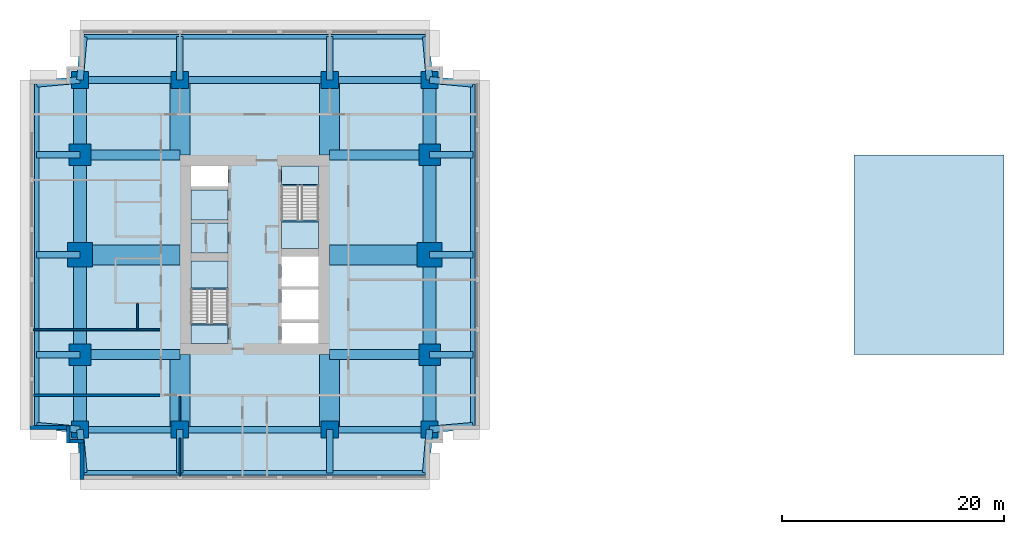
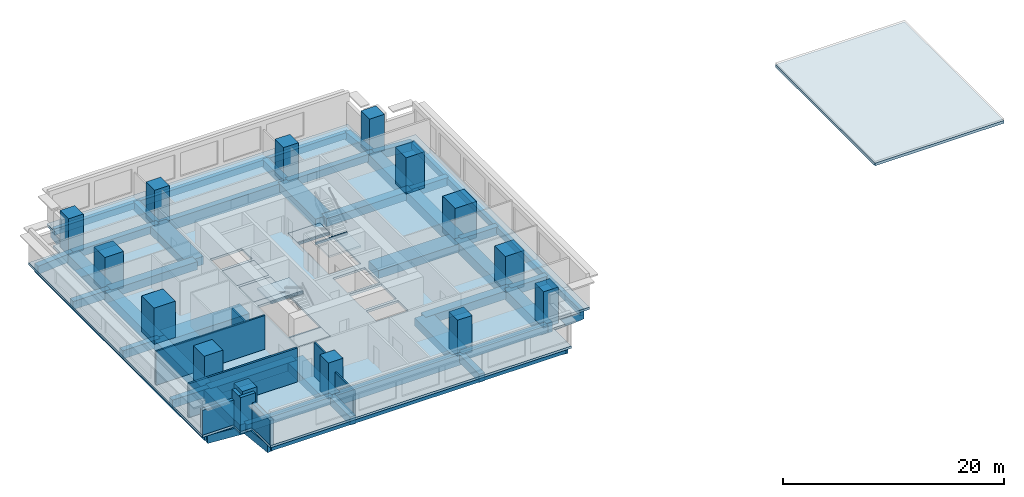
# One storey, part 1 of 5: 50 beams, 14 columns, 9 walls, 8 slabs, 2 elements without a shape of their own.
"""IFC4 building model written with IfcOpenShell, lengths in metres."""

from ifc_helpers import new_model, si_unit, direction, frame, frame_2d, origin, origin_2d, place, context, subcontext, project, spatial, polyline, rectangle, i_section, outline, extrude, material, layer, layer_set, material_profile, profile_set, type_object, element, aggregate, save


model = new_model("IFC4")

# Units and contexts
model_context = context("Model", 3, precision=1e-05, world=origin(), true_north=direction((0.0, 1.0)))
body_context = subcontext(model_context, "Body", "Model", "MODEL_VIEW")
ifc_project = project(units=[si_unit("LENGTHUNIT", "METRE"), si_unit("AREAUNIT", "SQUARE_METRE"), si_unit("VOLUMEUNIT", "CUBIC_METRE"), si_unit("PLANEANGLEUNIT", "RADIAN"), si_unit("MASSUNIT", "GRAM", prefix="KILO")], contexts=[model_context])

# Site, building, storey
site_placement = place(None, origin())
site = spatial("IfcSite", under=ifc_project, at=site_placement, CompositionType="ELEMENT")
building_placement = place(site_placement, origin())
building = spatial("IfcBuilding", under=site, at=building_placement, Name="Namib Vertical Campus", CompositionType="ELEMENT")
storey_placement = place(building_placement, frame((0.0, 0.0, 241.0)))
storey = spatial("IfcBuildingStorey", under=building, at=storey_placement, Name="L57", CompositionType="ELEMENT", Elevation=241.0)

# Columns
ifc_material_1 = material(Name="Concrete C60/75", Category="concrete")
ifc_material_profile_1 = material_profile(ifc_material_1, rectangle(XDim=1.550048828125, YDim=1.550048828125, at=origin_2d()))
ifc_profile_set_1 = profile_set([ifc_material_profile_1], Name="Concrete C60/75")
column_type_1 = type_object("IfcColumnType", Name="Column RC 1550x1550", PredefinedType="COLUMN", material=ifc_profile_set_1)
for number, where, z_axis, x_axis, name in (
    (1, (4.5, 4.5, 0.0), (0.0, 0.0, 1.0), (1.0, 0.0, 0.0), "Column C155 L57"),
    (2, (13.5, 4.5, 0.0), (0.0, 0.0, 1.0), (1.0, 0.0, 0.0), "Column C155 L57"),
    (3, (27.0, 4.5, 0.0), (0.0, 0.0, 1.0), (1.0, 0.0, 0.0), "Column C155 L57"),
    (4, (36.0, 4.5, 0.0), (0.0, 0.0, 1.0), (1.0, 0.0, 0.0), "Column C155 L57"),
    (5, (4.5, 36.0, 0.0), (0.0, 0.0, 1.0), (1.0, 0.0, 0.0), "Column C155 L57"),
    (6, (13.5, 36.0, 0.0), (0.0, 0.0, 1.0), (1.0, 0.0, 0.0), "Column C155 L57"),
    (7, (27.0, 36.0, 0.0), (0.0, 0.0, 1.0), (1.0, 0.0, 0.0), "Column C155 L57"),
    (8, (36.0, 36.0, 0.0), (0.0, 0.0, 1.0), (1.0, 0.0, 0.0), "Column C155 L57"),
):
    element("IfcColumn", number, at=place(storey_placement, frame(where, z_axis=z_axis, x_axis=x_axis)), inside=storey, type_object=column_type_1, Name=name, PredefinedType="COLUMN", context=body_context, shape_type="SweptSolid", body=[
        extrude(rectangle(XDim=1.550048828125, YDim=1.550048828125, at=origin_2d()), origin(), (0.0, 0.0, 1.0), 4.0),
    ])
ifc_material_2 = material(Name="Concrete C60/75", Category="concrete")
ifc_material_profile_2 = material_profile(ifc_material_2, rectangle(XDim=1.949951171875, YDim=1.949951171875, at=origin_2d()))
ifc_profile_set_2 = profile_set([ifc_material_profile_2], Name="Concrete C60/75")
column_type_2 = type_object("IfcColumnType", Name="Column RC 1950x1950", PredefinedType="COLUMN", material=ifc_profile_set_2)
for number, where, z_axis, x_axis, name in (
    (9, (4.5, 11.25, 0.0), (0.0, 0.0, 1.0), (1.0, 0.0, 0.0), "Column C195 L57"),
    (10, (36.0, 11.25, 0.0), (0.0, 0.0, 1.0), (1.0, 0.0, 0.0), "Column C195 L57"),
    (11, (4.5, 29.25, 0.0), (0.0, 0.0, 1.0), (1.0, 0.0, 0.0), "Column C195 L57"),
    (12, (36.0, 29.25, 0.0), (0.0, 0.0, 1.0), (1.0, 0.0, 0.0), "Column C195 L57"),
):
    element("IfcColumn", number, at=place(storey_placement, frame(where, z_axis=z_axis, x_axis=x_axis)), inside=storey, type_object=column_type_2, Name=name, PredefinedType="COLUMN", context=body_context, shape_type="SweptSolid", body=[
        extrude(rectangle(XDim=1.949951171875, YDim=1.949951171875, at=origin_2d()), origin(), (0.0, 0.0, 1.0), 4.0),
    ])
ifc_material_3 = material(Name="Concrete C60/75", Category="concrete")
ifc_material_profile_3 = material_profile(ifc_material_3, rectangle(XDim=2.25, YDim=2.25, at=origin_2d()))
ifc_profile_set_3 = profile_set([ifc_material_profile_3], Name="Concrete C60/75")
column_type_3 = type_object("IfcColumnType", Name="Column RC 2250x2250", PredefinedType="COLUMN", material=ifc_profile_set_3)
for number, where, z_axis, x_axis, name in (
    (13, (4.5, 20.25, 0.0), (0.0, 0.0, 1.0), (1.0, 0.0, 0.0), "Column C225 L57"),
    (14, (36.0, 20.25, 0.0), (0.0, 0.0, 1.0), (1.0, 0.0, 0.0), "Column C225 L57"),
):
    element("IfcColumn", number, at=place(storey_placement, frame(where, z_axis=z_axis, x_axis=x_axis)), inside=storey, type_object=column_type_3, Name=name, PredefinedType="COLUMN", context=body_context, shape_type="SweptSolid", body=[
        extrude(rectangle(XDim=2.25, YDim=2.25, at=origin_2d()), origin(), (0.0, 0.0, 1.0), 4.0),
    ])

# Beams
ifc_material_4 = material(Name="Concrete C40/50", Category="concrete")
ifc_material_profile_4 = material_profile(ifc_material_4, rectangle(XDim=0.60009765625, YDim=0.89990234375, at=origin_2d()))
ifc_profile_set_4 = profile_set([ifc_material_profile_4], Name="Concrete C40/50")
beam_type_1 = type_object("IfcBeamType", Name="Cantilever girder RC 600x900", PredefinedType="BEAM", material=ifc_profile_set_4)
beam_1_placement = place(storey_placement, frame((4.5, 4.5, -0.699951171875), z_axis=(0.089411326146, -0.995994786511, 0.0), x_axis=(0.995994786511, 0.089411326146, 0.0)))
element("IfcBeam", 15, at=beam_1_placement, inside=storey, type_object=beam_type_1, Name="Beam B3 L57", PredefinedType="BEAM", context=body_context, shape_type="SweptSolid", body=[
    extrude(rectangle(XDim=0.60009765625, YDim=0.89990234375, at=origin_2d()), origin(), (0.0, 0.0, 1.0), 3.91552734375),
])
for number, where, z_axis, x_axis, name in (
    (16, (13.5, 4.5, -0.699951171875), (0.0, -1.0, 0.0), (1.0, 0.0, 0.0), "Beam B3 L57"),
    (17, (27.0, 4.5, -0.699951171875), (0.0, -1.0, 0.0), (1.0, 0.0, 0.0), "Beam B3 L57"),
):
    element("IfcBeam", number, at=place(storey_placement, frame(where, z_axis=z_axis, x_axis=x_axis)), inside=storey, type_object=beam_type_1, Name=name, PredefinedType="BEAM", context=body_context, shape_type="SweptSolid", body=[
        extrude(rectangle(XDim=0.60009765625, YDim=0.89990234375, at=origin_2d()), origin(), (0.0, 0.0, 1.0), 3.89990234375),
    ])
for number, where, z_axis, x_axis, name in (
    (18, (36.0, 4.5, -0.699951171875), (-0.089411326146, -0.995994786511, 0.0), (0.995994786511, -0.089411326146, 0.0), "Beam B3 L57"),
    (19, (4.5, 36.0, -0.699951171875), (0.089411326146, 0.995994786511, 0.0), (-0.995994786511, 0.089411326146, 0.0), "Beam B3 L57"),
):
    element("IfcBeam", number, at=place(storey_placement, frame(where, z_axis=z_axis, x_axis=x_axis)), inside=storey, type_object=beam_type_1, Name=name, PredefinedType="BEAM", context=body_context, shape_type="SweptSolid", body=[
        extrude(rectangle(XDim=0.60009765625, YDim=0.89990234375, at=origin_2d()), origin(), (0.0, 0.0, 1.0), 3.91552734375),
    ])
for number, where, z_axis, x_axis, name in (
    (20, (13.5, 36.0, -0.699951171875), (0.0, 1.0, 0.0), (-1.0, 0.0, 0.0), "Beam B3 L57"),
    (21, (27.0, 36.0, -0.699951171875), (0.0, 1.0, 0.0), (-1.0, 0.0, 0.0), "Beam B3 L57"),
):
    element("IfcBeam", number, at=place(storey_placement, frame(where, z_axis=z_axis, x_axis=x_axis)), inside=storey, type_object=beam_type_1, Name=name, PredefinedType="BEAM", context=body_context, shape_type="SweptSolid", body=[
        extrude(rectangle(XDim=0.60009765625, YDim=0.89990234375, at=origin_2d()), origin(), (0.0, 0.0, 1.0), 3.89990234375),
    ])
for number, where, z_axis, x_axis, name in (
    (22, (36.0, 36.0, -0.699951171875), (-0.089411326146, 0.995994786511, 0.0), (-0.995994786511, -0.089411326146, 0.0), "Beam B3 L57"),
    (23, (4.5, 4.5, -0.699951171875), (-0.995994786511, 0.089411326146, 0.0), (-0.089411326146, -0.995994786511, 0.0), "Beam B3 L57"),
):
    element("IfcBeam", number, at=place(storey_placement, frame(where, z_axis=z_axis, x_axis=x_axis)), inside=storey, type_object=beam_type_1, Name=name, PredefinedType="BEAM", context=body_context, shape_type="SweptSolid", body=[
        extrude(rectangle(XDim=0.60009765625, YDim=0.89990234375, at=origin_2d()), origin(), (0.0, 0.0, 1.0), 3.91552734375),
    ])
for number, where, z_axis, x_axis, name in (
    (24, (4.5, 11.25, -0.699951171875), (-1.0, 0.0, 0.0), (0.0, -1.0, 0.0), "Beam B3 L57"),
    (25, (4.5, 20.25, -0.699951171875), (-1.0, 0.0, 0.0), (0.0, -1.0, 0.0), "Beam B3 L57"),
    (26, (4.5, 29.25, -0.699951171875), (-1.0, 0.0, 0.0), (0.0, -1.0, 0.0), "Beam B3 L57"),
):
    element("IfcBeam", number, at=place(storey_placement, frame(where, z_axis=z_axis, x_axis=x_axis)), inside=storey, type_object=beam_type_1, Name=name, PredefinedType="BEAM", context=body_context, shape_type="SweptSolid", body=[
        extrude(rectangle(XDim=0.60009765625, YDim=0.89990234375, at=origin_2d()), origin(), (0.0, 0.0, 1.0), 3.89990234375),
    ])
for number, where, z_axis, x_axis, name in (
    (27, (4.5, 36.0, -0.699951171875), (-0.995994786511, -0.089411326146, 0.0), (0.089411326146, -0.995994786511, 0.0), "Beam B3 L57"),
    (28, (36.0, 4.5, -0.699951171875), (0.995994786511, 0.089411326146, 0.0), (-0.089411326146, 0.995994786511, 0.0), "Beam B3 L57"),
):
    element("IfcBeam", number, at=place(storey_placement, frame(where, z_axis=z_axis, x_axis=x_axis)), inside=storey, type_object=beam_type_1, Name=name, PredefinedType="BEAM", context=body_context, shape_type="SweptSolid", body=[
        extrude(rectangle(XDim=0.60009765625, YDim=0.89990234375, at=origin_2d()), origin(), (0.0, 0.0, 1.0), 3.91552734375),
    ])
for number, where, z_axis, x_axis, name in (
    (29, (36.0, 11.25, -0.699951171875), (1.0, 0.0, 0.0), (0.0, 1.0, 0.0), "Beam B3 L57"),
    (30, (36.0, 20.25, -0.699951171875), (1.0, 0.0, 0.0), (0.0, 1.0, 0.0), "Beam B3 L57"),
    (31, (36.0, 29.25, -0.699951171875), (1.0, 0.0, 0.0), (0.0, 1.0, 0.0), "Beam B3 L57"),
):
    element("IfcBeam", number, at=place(storey_placement, frame(where, z_axis=z_axis, x_axis=x_axis)), inside=storey, type_object=beam_type_1, Name=name, PredefinedType="BEAM", context=body_context, shape_type="SweptSolid", body=[
        extrude(rectangle(XDim=0.60009765625, YDim=0.89990234375, at=origin_2d()), origin(), (0.0, 0.0, 1.0), 3.89990234375),
    ])
beam_2_placement = place(storey_placement, frame((36.0, 36.0, -0.699951171875), z_axis=(0.995994786511, -0.089411326146, 0.0), x_axis=(0.089411326146, 0.995994786511, 0.0)))
element("IfcBeam", 32, at=beam_2_placement, inside=storey, type_object=beam_type_1, Name="Beam B3 L57", PredefinedType="BEAM", context=body_context, shape_type="SweptSolid", body=[
    extrude(rectangle(XDim=0.60009765625, YDim=0.89990234375, at=origin_2d()), origin(), (0.0, 0.0, 1.0), 3.91552734375),
])
ifc_material_5 = material(Name="Concrete C40/50", Category="concrete")
ifc_material_profile_5 = material_profile(ifc_material_5, rectangle(XDim=0.39990234375, YDim=0.699951171875, at=origin_2d()))
ifc_profile_set_5 = profile_set([ifc_material_profile_5], Name="Concrete C40/50")
beam_type_2 = type_object("IfcBeamType", Name="Edge beam RC 400x700", PredefinedType="SPANDREL", material=ifc_profile_set_5)
for number, where, z_axis, x_axis, name in (
    (33, (4.85009765625, 0.60009765625, -0.60009765625), (1.0, 0.0, 0.0), (0.0, 1.0, 0.0), "Beam B4 L57"),
    (34, (4.85009765625, 39.89990234375, -0.60009765625), (1.0, 0.0, 0.0), (0.0, 1.0, 0.0), "Beam B4 L57"),
    (35, (0.60009765625, 4.85009765625, -0.60009765625), (0.0, 1.0, 0.0), (-1.0, 0.0, 0.0), "Beam B4 L57"),
    (36, (39.89990234375, 4.85009765625, -0.60009765625), (0.0, 1.0, 0.0), (-1.0, 0.0, 0.0), "Beam B4 L57"),
):
    element("IfcBeam", number, at=place(storey_placement, frame(where, z_axis=z_axis, x_axis=x_axis)), inside=storey, type_object=beam_type_2, Name=name, PredefinedType="SPANDREL", context=body_context, shape_type="SweptSolid", body=[
        extrude(rectangle(XDim=0.39990234375, YDim=0.699951171875, at=origin_2d()), origin(), (0.0, 0.0, 1.0), 30.7998046875),
    ])
ifc_material_6 = material(Name="Concrete C40/50", Category="concrete")
ifc_material_profile_6 = material_profile(ifc_material_6, rectangle(XDim=0.89990234375, YDim=0.89990234375, at=origin_2d()))
ifc_profile_set_6 = profile_set([ifc_material_profile_6], Name="Concrete C40/50")
beam_type_3 = type_object("IfcBeamType", Name="Face girder RC 900x900", PredefinedType="BEAM", material=ifc_profile_set_6)
for number, where, z_axis, x_axis, name in (
    (37, (4.5, 11.25, -0.699951171875), (1.0, 0.0, 0.0), (0.0, 1.0, 0.0), "Beam B10 L57"),
    (38, (36.0, 11.25, -0.699951171875), (-1.0, 0.0, 0.0), (0.0, -1.0, 0.0), "Beam B10 L57"),
    (39, (4.5, 29.25, -0.699951171875), (1.0, 0.0, 0.0), (0.0, 1.0, 0.0), "Beam B10 L57"),
    (40, (36.0, 29.25, -0.699951171875), (-1.0, 0.0, 0.0), (0.0, -1.0, 0.0), "Beam B10 L57"),
):
    element("IfcBeam", number, at=place(storey_placement, frame(where, z_axis=z_axis, x_axis=x_axis)), inside=storey, type_object=beam_type_3, Name=name, PredefinedType="BEAM", context=body_context, shape_type="SweptSolid", body=[
        extrude(rectangle(XDim=0.89990234375, YDim=0.89990234375, at=origin_2d()), origin(), (0.0, 0.0, 1.0), 9.0),
    ])
ifc_material_7 = material(Name="Concrete C40/50", Category="concrete")
ifc_material_profile_7 = material_profile(ifc_material_7, rectangle(XDim=1.199951171875, YDim=1.10009765625, at=origin_2d()))
ifc_profile_set_7 = profile_set([ifc_material_profile_7], Name="Concrete C40/50")
beam_type_4 = type_object("IfcBeamType", Name="Face ring beam RC 1200x1100", PredefinedType="BEAM", material=ifc_profile_set_7)
beam_3_placement = place(storey_placement, frame((4.5, 4.5, -0.800048828125), z_axis=(0.0, 1.0, 0.0), x_axis=(-1.0, 0.0, 0.0)))
element("IfcBeam", 41, at=beam_3_placement, inside=storey, type_object=beam_type_4, Name="Beam B11 L57", PredefinedType="BEAM", context=body_context, shape_type="SweptSolid", body=[
    extrude(rectangle(XDim=1.199951171875, YDim=1.10009765625, at=origin_2d()), origin(), (0.0, 0.0, 1.0), 6.75),
])
for number, where, z_axis, x_axis, name in (
    (42, (4.5, 11.25, -0.800048828125), (0.0, 1.0, 0.0), (-1.0, 0.0, 0.0), "Beam B11 L57"),
    (43, (4.5, 20.25, -0.800048828125), (0.0, 1.0, 0.0), (-1.0, 0.0, 0.0), "Beam B11 L57"),
):
    element("IfcBeam", number, at=place(storey_placement, frame(where, z_axis=z_axis, x_axis=x_axis)), inside=storey, type_object=beam_type_4, Name=name, PredefinedType="BEAM", context=body_context, shape_type="SweptSolid", body=[
        extrude(rectangle(XDim=1.199951171875, YDim=1.10009765625, at=origin_2d()), origin(), (0.0, 0.0, 1.0), 9.0),
    ])
for number, where, z_axis, x_axis, name in (
    (44, (4.5, 29.25, -0.800048828125), (0.0, 1.0, 0.0), (-1.0, 0.0, 0.0), "Beam B11 L57"),
    (45, (36.0, 4.5, -0.800048828125), (0.0, 1.0, 0.0), (-1.0, 0.0, 0.0), "Beam B11 L57"),
):
    element("IfcBeam", number, at=place(storey_placement, frame(where, z_axis=z_axis, x_axis=x_axis)), inside=storey, type_object=beam_type_4, Name=name, PredefinedType="BEAM", context=body_context, shape_type="SweptSolid", body=[
        extrude(rectangle(XDim=1.199951171875, YDim=1.10009765625, at=origin_2d()), origin(), (0.0, 0.0, 1.0), 6.75),
    ])
for number, where, z_axis, x_axis, name in (
    (46, (36.0, 11.25, -0.800048828125), (0.0, 1.0, 0.0), (-1.0, 0.0, 0.0), "Beam B11 L57"),
    (47, (36.0, 20.25, -0.800048828125), (0.0, 1.0, 0.0), (-1.0, 0.0, 0.0), "Beam B11 L57"),
):
    element("IfcBeam", number, at=place(storey_placement, frame(where, z_axis=z_axis, x_axis=x_axis)), inside=storey, type_object=beam_type_4, Name=name, PredefinedType="BEAM", context=body_context, shape_type="SweptSolid", body=[
        extrude(rectangle(XDim=1.199951171875, YDim=1.10009765625, at=origin_2d()), origin(), (0.0, 0.0, 1.0), 9.0),
    ])
beam_4_placement = place(storey_placement, frame((36.0, 29.25, -0.800048828125), z_axis=(0.0, 1.0, 0.0), x_axis=(-1.0, 0.0, 0.0)))
element("IfcBeam", 48, at=beam_4_placement, inside=storey, type_object=beam_type_4, Name="Beam B11 L57", PredefinedType="BEAM", context=body_context, shape_type="SweptSolid", body=[
    extrude(rectangle(XDim=1.199951171875, YDim=1.10009765625, at=origin_2d()), origin(), (0.0, 0.0, 1.0), 6.75),
])
ifc_material_8 = material(Name="Steel S355JR", Category="steel")
ifc_material_profile_8 = material_profile(ifc_material_8, i_section(OverallWidth=0.14599609375, OverallDepth=0.25146484375, WebThickness=0.006103515625, FlangeThickness=0.008544921875, FilletRadius=0.007568359375, at=origin_2d()))
ifc_profile_set_8 = profile_set([ifc_material_profile_8], Name="Steel S355JR")
beam_type_5 = type_object("IfcBeamType", Name="Landing trimmer UB 254x146x31", PredefinedType="BEAM", material=ifc_profile_set_8)
for number, where, z_axis, x_axis, name in (
    (49, (14.5, 13.97705078125, -0.125732421875), (1.0, 0.0, 0.0), (0.0, 1.0, 0.0), "Landing trimmer LT1 A-S1 L57 1"),
    (50, (14.5, 17.203125, 1.874267578125), (1.0, 0.0, 0.0), (0.0, 1.0, 0.0), "Landing trimmer LT1 A-S1 L57 2"),
    (51, (22.64990234375, 26.52294921875, -0.125732421875), (1.0, 0.0, 0.0), (0.0, 1.0, 0.0), "Landing trimmer LT1 A-S2 L57 1"),
    (52, (22.64990234375, 23.296875, 1.874267578125), (1.0, 0.0, 0.0), (0.0, 1.0, 0.0), "Landing trimmer LT1 A-S2 L57 2"),
):
    element("IfcBeam", number, at=place(storey_placement, frame(where, z_axis=z_axis, x_axis=x_axis)), inside=storey, type_object=beam_type_5, Name=name, PredefinedType="BEAM", context=body_context, shape_type="SweptSolid", body=[
        extrude(i_section(OverallWidth=0.14599609375, OverallDepth=0.25146484375, WebThickness=0.006103515625, FlangeThickness=0.008544921875, FilletRadius=0.007568359375, at=origin_2d()), origin(), (0.0, 0.0, 1.0), 3.35009765625),
    ])
ifc_material_9 = material(Name="Concrete C40/50", Category="concrete")
ifc_material_profile_9 = material_profile(ifc_material_9, rectangle(XDim=0.60009765625, YDim=1.199951171875, at=origin_2d()))
ifc_profile_set_9 = profile_set([ifc_material_profile_9], Name="Concrete C40/50")
beam_type_6 = type_object("IfcBeamType", Name="Long-span ring beam RC 600x1200", PredefinedType="BEAM", material=ifc_profile_set_9)
for number, where, z_axis, x_axis, name in (
    (53, (13.5, 4.5, -0.85009765625), (1.0, 0.0, 0.0), (0.0, 1.0, 0.0), "Beam B9 L57"),
    (54, (13.5, 36.0, -0.85009765625), (1.0, 0.0, 0.0), (0.0, 1.0, 0.0), "Beam B9 L57"),
):
    element("IfcBeam", number, at=place(storey_placement, frame(where, z_axis=z_axis, x_axis=x_axis)), inside=storey, type_object=beam_type_6, Name=name, PredefinedType="BEAM", context=body_context, shape_type="SweptSolid", body=[
        extrude(rectangle(XDim=0.60009765625, YDim=1.199951171875, at=origin_2d()), origin(), (0.0, 0.0, 1.0), 13.5),
    ])
ifc_material_10 = material(Name="Concrete C40/50", Category="concrete")
ifc_material_profile_10 = material_profile(ifc_material_10, rectangle(XDim=1.800048828125, YDim=0.89990234375, at=origin_2d()))
ifc_profile_set_10 = profile_set([ifc_material_profile_10], Name="Concrete C40/50")
beam_type_7 = type_object("IfcBeamType", Name="Outrigger line girder RC 1800x900", PredefinedType="BEAM", material=ifc_profile_set_10)
for number, where, z_axis, x_axis, name in (
    (55, (13.5, 4.5, -0.699951171875), (0.0, 1.0, 0.0), (-1.0, 0.0, 0.0), "Beam B12 L57"),
    (56, (13.5, 36.0, -0.699951171875), (0.0, -1.0, 0.0), (1.0, 0.0, 0.0), "Beam B12 L57"),
    (57, (27.0, 4.5, -0.699951171875), (0.0, 1.0, 0.0), (-1.0, 0.0, 0.0), "Beam B12 L57"),
    (58, (27.0, 36.0, -0.699951171875), (0.0, -1.0, 0.0), (1.0, 0.0, 0.0), "Beam B12 L57"),
):
    element("IfcBeam", number, at=place(storey_placement, frame(where, z_axis=z_axis, x_axis=x_axis)), inside=storey, type_object=beam_type_7, Name=name, PredefinedType="BEAM", context=body_context, shape_type="SweptSolid", body=[
        extrude(rectangle(XDim=1.800048828125, YDim=0.89990234375, at=origin_2d()), origin(), (0.0, 0.0, 1.0), 6.75),
    ])
for number, where, z_axis, x_axis, name in (
    (59, (4.5, 20.25, -0.699951171875), (1.0, 0.0, 0.0), (0.0, 1.0, 0.0), "Beam B12 L57"),
    (60, (36.0, 20.25, -0.699951171875), (-1.0, 0.0, 0.0), (0.0, -1.0, 0.0), "Beam B12 L57"),
):
    element("IfcBeam", number, at=place(storey_placement, frame(where, z_axis=z_axis, x_axis=x_axis)), inside=storey, type_object=beam_type_7, Name=name, PredefinedType="BEAM", context=body_context, shape_type="SweptSolid", body=[
        extrude(rectangle(XDim=1.800048828125, YDim=0.89990234375, at=origin_2d()), origin(), (0.0, 0.0, 1.0), 9.0),
    ])
ifc_material_11 = material(Name="Concrete C40/50", Category="concrete")
ifc_material_profile_11 = material_profile(ifc_material_11, rectangle(XDim=0.60009765625, YDim=0.800048828125, at=origin_2d()))
ifc_profile_set_11 = profile_set([ifc_material_profile_11], Name="Concrete C40/50")
beam_type_8 = type_object("IfcBeamType", Name="Ring beam RC 600x800", PredefinedType="BEAM", material=ifc_profile_set_11)
for number, where, z_axis, x_axis, name in (
    (61, (4.5, 4.5, -0.64990234375), (1.0, 0.0, 0.0), (0.0, 1.0, 0.0), "Beam B1 L57"),
    (62, (27.0, 4.5, -0.64990234375), (1.0, 0.0, 0.0), (0.0, 1.0, 0.0), "Beam B1 L57"),
    (63, (4.5, 36.0, -0.64990234375), (1.0, 0.0, 0.0), (0.0, 1.0, 0.0), "Beam B1 L57"),
    (64, (27.0, 36.0, -0.64990234375), (1.0, 0.0, 0.0), (0.0, 1.0, 0.0), "Beam B1 L57"),
):
    element("IfcBeam", number, at=place(storey_placement, frame(where, z_axis=z_axis, x_axis=x_axis)), inside=storey, type_object=beam_type_8, Name=name, PredefinedType="BEAM", context=body_context, shape_type="SweptSolid", body=[
        extrude(rectangle(XDim=0.60009765625, YDim=0.800048828125, at=origin_2d()), origin(), (0.0, 0.0, 1.0), 9.0),
    ])

# Slabs
ifc_material_12 = material(Name="Concrete C40/50", Category="concrete")
ifc_layer_1 = layer(ifc_material_12, 0.25)
ifc_layer_set_1 = layer_set([ifc_layer_1], Name="Concrete C40/50")
slab_type_1 = type_object("IfcSlabType", Name="Floor slab 250", PredefinedType="FLOOR", material=ifc_layer_set_1)
slab_1_placement = place(storey_placement, frame((0.0, 0.0, -0.25)))
element("IfcSlab", 65, at=slab_1_placement, inside=storey, type_object=slab_type_1, Name="Floor slab A L57", PredefinedType="FLOOR", context=body_context, shape_type="SweptSolid", body=[
    extrude(outline(polyline([(4.5, 0.0), (36.0, 0.0), (36.0, 3.27490234375), (37.22509765625, 3.27490234375), (37.22509765625, 4.5), (40.5, 4.5), (40.5, 36.0), (37.22509765625, 36.0), (37.22509765625, 37.22509765625), (36.0, 37.22509765625), (36.0, 40.5), (4.5, 40.5), (4.5, 37.22509765625), (3.27490234375, 37.22509765625), (3.27490234375, 36.0), (0.0, 36.0), (0.0, 4.5), (3.27490234375, 4.5), (3.27490234375, 3.27490234375), (4.5, 3.27490234375), (4.5, 0.0)]), holes=[polyline([(14.5, 12.25), (17.85009765625, 12.25), (17.85009765625, 19.699951171875), (14.5, 19.699951171875), (14.5, 12.25)]), polyline([(22.64990234375, 20.800048828125), (26.0, 20.800048828125), (26.0, 28.25), (22.64990234375, 28.25), (22.64990234375, 20.800048828125)]), polyline([(22.64990234375, 12.25), (26.0, 12.25), (26.0, 14.10009765625), (22.64990234375, 14.10009765625), (22.64990234375, 12.25)]), polyline([(14.5, 20.39990234375), (17.85009765625, 20.39990234375), (17.85009765625, 23.10009765625), (14.5, 23.10009765625), (14.5, 20.39990234375)]), polyline([(14.5, 23.39990234375), (17.85009765625, 23.39990234375), (17.85009765625, 26.10009765625), (14.5, 26.10009765625), (14.5, 23.39990234375)]), polyline([(14.5, 26.39990234375), (17.85009765625, 26.39990234375), (17.85009765625, 28.25), (14.5, 28.25), (14.5, 26.39990234375)]), polyline([(22.64990234375, 14.39990234375), (26.0, 14.39990234375), (26.0, 17.10009765625), (22.64990234375, 17.10009765625), (22.64990234375, 14.39990234375)]), polyline([(22.64990234375, 17.39990234375), (26.0, 17.39990234375), (26.0, 20.10009765625), (22.64990234375, 20.10009765625), (22.64990234375, 17.39990234375)])]), origin(), (0.0, 0.0, 1.0), 0.25),
])
ifc_material_13 = material(Name="Concrete C40/50", Category="concrete")
ifc_layer_2 = layer(ifc_material_13, 0.300048828125)
ifc_layer_set_2 = layer_set([ifc_layer_2], Name="Concrete C40/50")
slab_type_2 = type_object("IfcSlabType", Name="Roof slab 300", PredefinedType="ROOF", material=ifc_layer_set_2)
slab_2_placement = place(storey_placement, frame((0.0, 0.0, -0.300048828125)))
element("IfcSlab", 66, at=slab_2_placement, inside=storey, type_object=slab_type_2, Name="Core roof B", PredefinedType="ROOF", context=body_context, shape_type="SweptSolid", body=[
    extrude(outline(polyline([(74.25, 11.25), (87.75, 11.25), (87.75, 29.25), (74.25, 29.25), (74.25, 11.25)])), origin(), (0.0, 0.0, 1.0), 0.300048828125),
])
ifc_material_14 = material(Name="Concrete C40/50 precast", Category="concrete")
ifc_layer_3 = layer(ifc_material_14, 0.25)
ifc_layer_set_3 = layer_set([ifc_layer_3], Name="Concrete C40/50 precast")
slab_type_3 = type_object("IfcSlabType", Name="Shaft infill floor 250", PredefinedType="FLOOR", material=ifc_layer_set_3)
slab_3_placement = place(storey_placement, frame((0.0, 0.0, -0.25)))
element("IfcSlab", 67, at=slab_3_placement, inside=storey, type_object=slab_type_3, Name="Shaft infill floor A L57 P1", PredefinedType="FLOOR", context=body_context, shape_type="SweptSolid", body=[
    extrude(outline(polyline([(14.5, 20.39990234375), (17.85009765625, 20.39990234375), (17.85009765625, 23.10009765625), (14.5, 23.10009765625), (14.5, 20.39990234375)])), origin(), (0.0, 0.0, 1.0), 0.25),
])
slab_4_placement = place(storey_placement, frame((0.0, 0.0, -0.25)))
element("IfcSlab", 68, at=slab_4_placement, inside=storey, type_object=slab_type_3, Name="Shaft infill floor A L57 P2", PredefinedType="FLOOR", context=body_context, shape_type="SweptSolid", body=[
    extrude(outline(polyline([(14.5, 23.39990234375), (17.85009765625, 23.39990234375), (17.85009765625, 26.10009765625), (14.5, 26.10009765625), (14.5, 23.39990234375)])), origin(), (0.0, 0.0, 1.0), 0.25),
])

# Stair, slabs
ifc_material_15 = material(Name="Concrete C40/50 precast", Category="concrete")
stair_type = type_object("IfcStairType", Name="Exit stair 4000 rise 24 risers 3350 wide", PredefinedType="HALF_TURN_STAIR", material=ifc_material_15)
stair_1_placement = place(storey_placement, origin())
stair_1 = element("IfcStair", 69, at=stair_1_placement, inside=storey, type_object=stair_type, Name="Exit stair A-S1 L57", PredefinedType="HALF_TURN_STAIR")
ifc_material_16 = material(Name="Concrete C40/50", Category="concrete")
ifc_layer_4 = layer(ifc_material_16, 0.199951171875)
ifc_layer_set_4 = layer_set([ifc_layer_4], Name="Concrete C40/50")
slab_type_4 = type_object("IfcSlabType", Name="Stair landing 200", PredefinedType="LANDING", material=ifc_layer_set_4)
slab_5_placement = place(storey_placement, frame((0.0, 0.0, -0.199951171875)))
slab_5 = element("IfcSlab", 70, at=slab_5_placement, type_object=slab_type_4, Name="A-S1 landing 1", PredefinedType="LANDING", context=body_context, shape_type="SweptSolid", body=[
    extrude(outline(polyline([(14.5, 12.25), (17.85009765625, 12.25), (17.85009765625, 13.90380859375), (14.5, 13.90380859375), (14.5, 12.25)])), origin(), (0.0, 0.0, 1.0), 0.199951171875),
])
slab_6_placement = place(storey_placement, frame((0.0, 0.0, 1.800048828125)))
slab_6 = element("IfcSlab", 71, at=slab_6_placement, type_object=slab_type_4, Name="A-S1 landing 2", PredefinedType="LANDING", context=body_context, shape_type="SweptSolid", body=[
    extrude(outline(polyline([(14.5, 17.276123046875), (17.85009765625, 17.276123046875), (17.85009765625, 19.699951171875), (14.5, 19.699951171875), (14.5, 17.276123046875)])), origin(), (0.0, 0.0, 1.0), 0.199951171875),
])
aggregate(stair_1, [slab_5, slab_6])

stair_2_placement = place(storey_placement, origin())
stair_2 = element("IfcStair", 72, at=stair_2_placement, inside=storey, type_object=stair_type, Name="Exit stair A-S2 L57", PredefinedType="HALF_TURN_STAIR")
slab_7_placement = place(storey_placement, frame((0.0, 0.0, -0.199951171875)))
slab_7 = element("IfcSlab", 73, at=slab_7_placement, type_object=slab_type_4, Name="A-S2 landing 1", PredefinedType="LANDING", context=body_context, shape_type="SweptSolid", body=[
    extrude(outline(polyline([(22.64990234375, 26.59619140625), (26.0, 26.59619140625), (26.0, 28.25), (22.64990234375, 28.25), (22.64990234375, 26.59619140625)])), origin(), (0.0, 0.0, 1.0), 0.199951171875),
])
slab_8_placement = place(storey_placement, frame((0.0, 0.0, 1.800048828125)))
slab_8 = element("IfcSlab", 74, at=slab_8_placement, type_object=slab_type_4, Name="A-S2 landing 2", PredefinedType="LANDING", context=body_context, shape_type="SweptSolid", body=[
    extrude(outline(polyline([(22.64990234375, 20.800048828125), (26.0, 20.800048828125), (26.0, 23.223876953125), (22.64990234375, 23.223876953125), (22.64990234375, 20.800048828125)])), origin(), (0.0, 0.0, 1.0), 0.199951171875),
])
aggregate(stair_2, [slab_7, slab_8])

# Walls
ifc_material_17 = material(Name="Concrete masonry", Category="masonry")
ifc_layer_5 = layer(ifc_material_17, 0.199951171875)
ifc_layer_set_5 = layer_set([ifc_layer_5], Name="Corridor wall 200")
wall_type_1 = type_object("IfcWallType", Name="Corridor wall 200", PredefinedType="SOLIDWALL", material=ifc_layer_set_5)
wall_1_placement = place(storey_placement, frame((0.300048828125, 7.60009765625, 0.0), z_axis=(0.0, 0.0, 1.0), x_axis=(1.0, 0.0, 0.0)))
element("IfcWall", 75, at=wall_1_placement, inside=storey, type_object=wall_type_1, Name="Partition A L57 BSW", PredefinedType="SOLIDWALL", context=body_context, shape_type="SweptSolid", body=[
    extrude(rectangle(XDim=11.39990234375, YDim=0.199951171875, at=frame_2d((5.699951171875, 0.0))), origin(), (0.0, 0.0, 1.0), 3.75),
])
ifc_material_18 = material(Name="Concrete C40/50", Category="concrete")
ifc_layer_6 = layer(ifc_material_18, 0.35009765625)
ifc_layer_set_6 = layer_set([ifc_layer_6], Name="Concrete C40/50")
wall_type_2 = type_object("IfcWallType", Name="External wall 350 bush-hammered concrete", PredefinedType="STANDARD", material=ifc_layer_set_6)
wall_2_placement = place(storey_placement, frame((0.02001953125, 4.675048828125, 0.0), z_axis=(0.0, 0.0, 1.0), x_axis=(1.0, 0.0, 0.0)))
element("IfcWall", 76, at=wall_2_placement, inside=storey, type_object=wall_type_2, Name="External wall L57 F17", PredefinedType="STANDARD", context=body_context, shape_type="SweptSolid", body=[
    extrude(rectangle(XDim=3.5849609375, YDim=0.35009765625, at=frame_2d((1.79248046875, 0.0))), origin(), (0.0, 0.0, 1.0), 2.75),
])
for number, where, z_axis, x_axis, name in (
    (77, (3.449951171875, 4.830078125, 0.0), (0.0, 0.0, 1.0), (0.0, -1.0, 0.0), "External wall L57 F18"),
    (78, (3.294921875, 3.449951171875, 0.0), (0.0, 0.0, 1.0), (1.0, 0.0, 0.0), "External wall L57 F19"),
):
    element("IfcWall", number, at=place(storey_placement, frame(where, z_axis=z_axis, x_axis=x_axis)), inside=storey, type_object=wall_type_2, Name=name, PredefinedType="STANDARD", context=body_context, shape_type="SweptSolid", body=[
        extrude(rectangle(XDim=1.53515625, YDim=0.35009765625, at=frame_2d((0.767578125, 0.0))), origin(), (0.0, 0.0, 1.0), 3.75),
    ])
wall_3_placement = place(storey_placement, frame((4.675048828125, 3.60498046875, 0.0), z_axis=(0.0, 0.0, 1.0), x_axis=(0.0, -1.0, 0.0)))
element("IfcWall", 79, at=wall_3_placement, inside=storey, type_object=wall_type_2, Name="External wall L57 F20", PredefinedType="STANDARD", context=body_context, shape_type="SweptSolid", body=[
    extrude(rectangle(XDim=3.5849609375, YDim=0.35009765625, at=frame_2d((1.79248046875, 0.0))), origin(), (0.0, 0.0, 1.0), 2.75),
])
ifc_material_19 = material(Name="Gypsum board on steel studs", Category="steel")
ifc_layer_7 = layer(ifc_material_19, 0.14990234375)
ifc_layer_set_7 = layer_set([ifc_layer_7], Name="Gypsum board on steel studs")
wall_type_3 = type_object("IfcWallType", Name="Partition 150", PredefinedType="PARTITIONING", material=ifc_layer_set_7)
wall_4_placement = place(storey_placement, frame((13.5, 0.300048828125, 0.0), z_axis=(0.0, 0.0, 1.0), x_axis=(0.0, 1.0, 0.0)))
element("IfcWall", 80, at=wall_4_placement, inside=storey, type_object=wall_type_3, Name="Partition A L57 PS1", PredefinedType="PARTITIONING", context=body_context, shape_type="SweptSolid", body=[
    extrude(rectangle(XDim=3.405029296875, YDim=0.14990234375, at=frame_2d((1.70263671875, 0.0))), origin(), (0.0, 0.0, 1.0), 2.75),
])
wall_5_placement = place(storey_placement, frame((13.5, 5.294921875, 0.0), z_axis=(0.0, 0.0, 1.0), x_axis=(0.0, 1.0, 0.0)))
element("IfcWall", 81, at=wall_5_placement, inside=storey, type_object=wall_type_3, Name="Partition A L57 PS1", PredefinedType="PARTITIONING", context=body_context, shape_type="SweptSolid", body=[
    extrude(rectangle(XDim=2.205078125, YDim=0.14990234375, at=frame_2d((1.1025390625, 0.0))), origin(), (0.0, 0.0, 1.0), 3.75),
])
wall_6_placement = place(storey_placement, frame((0.300048828125, 13.5, 0.0), z_axis=(0.0, 0.0, 1.0), x_axis=(1.0, 0.0, 0.0)))
element("IfcWall", 82, at=wall_6_placement, inside=storey, type_object=wall_type_3, Name="Partition A L57 PW1", PredefinedType="PARTITIONING", context=body_context, shape_type="SweptSolid", body=[
    extrude(rectangle(XDim=11.39990234375, YDim=0.14990234375, at=frame_2d((5.699951171875, 0.0))), origin(), (0.0, 0.0, 1.0), 3.75),
])
wall_7_placement = place(storey_placement, frame((9.699951171875, 13.5, 0.0), z_axis=(0.0, 0.0, 1.0), x_axis=(0.0, 1.0, 0.0)))
element("IfcWall", 83, at=wall_7_placement, inside=storey, type_object=wall_type_3, Name="Partition A L57 WB1", PredefinedType="PARTITIONING", context=body_context, shape_type="SweptSolid", body=[
    extrude(rectangle(XDim=2.39990234375, YDim=0.14990234375, at=frame_2d((1.199951171875, 0.0))), origin(), (0.0, 0.0, 1.0), 3.75),
])

save(model, "model.ifc")
